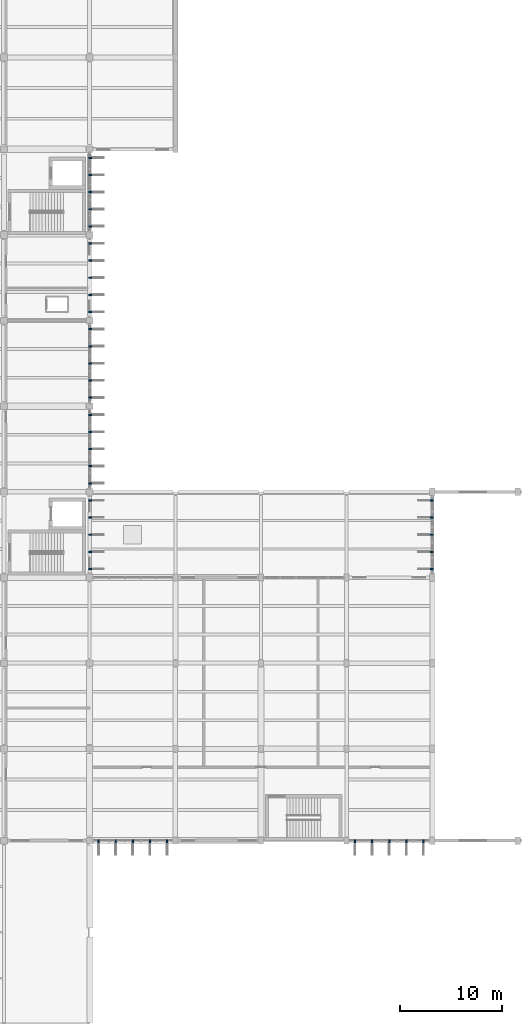
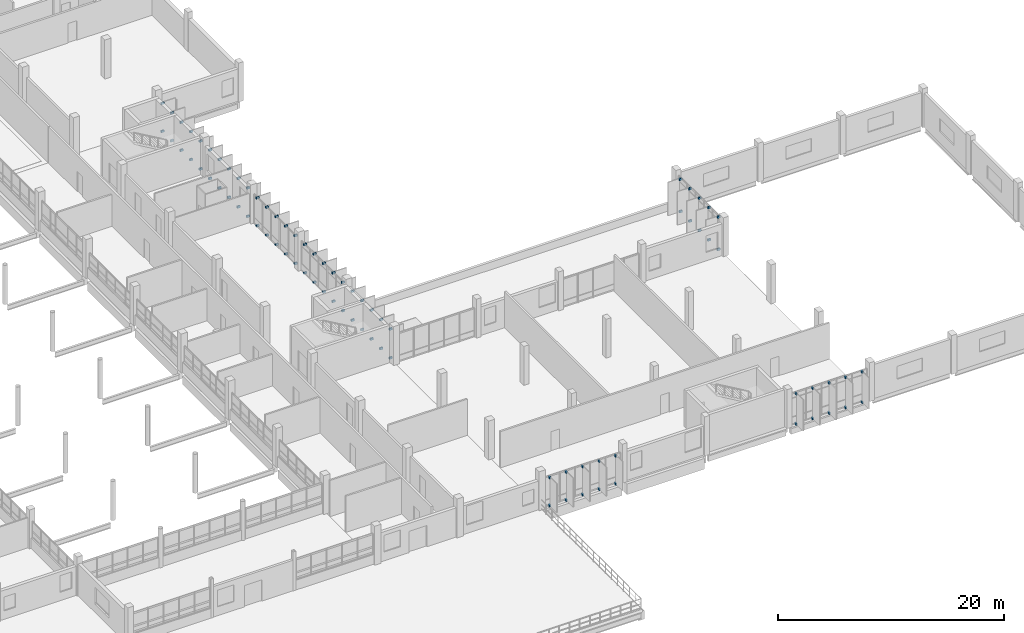
# One storey, part 94 of 101: 80 discrete accessories.
"""IFC4 building model written with IfcOpenShell, lengths in metres."""

from ifc_helpers import new_model, si_unit, direction, frame, origin, origin_2d, place, context, subcontext, project, spatial, rectangle, extrude, material, type_object, element, save


model = new_model("IFC4")

# Units and contexts
model_context = context("Model", 3, precision=1e-05, world=origin(), true_north=direction((0.0, 1.0)))
body_context = subcontext(model_context, "Body", "Model", "MODEL_VIEW")
ifc_project = project(units=[si_unit("LENGTHUNIT", "METRE"), si_unit("AREAUNIT", "SQUARE_METRE"), si_unit("VOLUMEUNIT", "CUBIC_METRE"), si_unit("PLANEANGLEUNIT", "RADIAN"), si_unit("MASSUNIT", "GRAM", prefix="KILO")], contexts=[model_context])

# Site, building, storey
site_placement = place(None, origin())
site = spatial("IfcSite", under=ifc_project, at=site_placement, CompositionType="ELEMENT")
building_placement = place(site_placement, origin())
building = spatial("IfcBuilding", under=site, at=building_placement, Name="Vireocrest Preparatory School", CompositionType="ELEMENT")
storey_placement = place(building_placement, frame((0.0, 0.0, 4.800048828125)))
storey = spatial("IfcBuildingStorey", under=building, at=storey_placement, Name="L01", CompositionType="ELEMENT", Elevation=4.800048828125)

# Discrete accessories
ifc_material = material(Name="Structural steel ASTM A572 Grade 50", Category="steel")
discrete_accessory_type = type_object("IfcDiscreteAccessoryType", Name="Slab-Edge Steel Outrigger Fin Bracket", PredefinedType="BRACKET", material=ifc_material)
for number, where, z_axis, x_axis, name in (
    (1, (110.077392578125, 17.929931640625, -0.08984375), (0.0, 0.0, 1.0), (-1.0, 0.0, 0.0), "Solar Fin Outrigger Bracket BK1 L01-4-1-BOT"),
    (2, (110.077392578125, 17.929931640625, 2.919921875), (0.0, 0.0, 1.0), (-1.0, 0.0, 0.0), "Solar Fin Outrigger Bracket BK1 L01-4-1-TOP"),
    (3, (111.757568359375, 17.929931640625, -0.08984375), (0.0, 0.0, 1.0), (-1.0, 0.0, 0.0), "Solar Fin Outrigger Bracket BK1 L01-4-2-BOT"),
    (4, (111.757568359375, 17.929931640625, 2.919921875), (0.0, 0.0, 1.0), (-1.0, 0.0, 0.0), "Solar Fin Outrigger Bracket BK1 L01-4-2-TOP"),
    (5, (113.4375, 17.929931640625, -0.08984375), (0.0, 0.0, 1.0), (-1.0, 0.0, 0.0), "Solar Fin Outrigger Bracket BK1 L01-4-3-BOT"),
    (6, (113.4375, 17.929931640625, 2.919921875), (0.0, 0.0, 1.0), (-1.0, 0.0, 0.0), "Solar Fin Outrigger Bracket BK1 L01-4-3-TOP"),
    (7, (115.117431640625, 17.929931640625, -0.08984375), (0.0, 0.0, 1.0), (-1.0, 0.0, 0.0), "Solar Fin Outrigger Bracket BK1 L01-4-4-BOT"),
    (8, (115.117431640625, 17.929931640625, 2.919921875), (0.0, 0.0, 1.0), (-1.0, 0.0, 0.0), "Solar Fin Outrigger Bracket BK1 L01-4-4-TOP"),
    (9, (116.797607421875, 17.929931640625, -0.08984375), (0.0, 0.0, 1.0), (-1.0, 0.0, 0.0), "Solar Fin Outrigger Bracket BK1 L01-4-5-BOT"),
    (10, (116.797607421875, 17.929931640625, 2.919921875), (0.0, 0.0, 1.0), (-1.0, 0.0, 0.0), "Solar Fin Outrigger Bracket BK1 L01-4-5-TOP"),
    (11, (135.2275390625, 17.929931640625, -0.08984375), (0.0, 0.0, 1.0), (-1.0, 0.0, 0.0), "Solar Fin Outrigger Bracket BK1 L01-5-1-BOT"),
    (12, (135.2275390625, 17.929931640625, 3.16015625), (0.0, 0.0, 1.0), (-1.0, 0.0, 0.0), "Solar Fin Outrigger Bracket BK1 L01-5-1-TOP"),
    (13, (136.907470703125, 17.929931640625, -0.08984375), (0.0, 0.0, 1.0), (-1.0, 0.0, 0.0), "Solar Fin Outrigger Bracket BK1 L01-5-2-BOT"),
    (14, (136.907470703125, 17.929931640625, 3.16015625), (0.0, 0.0, 1.0), (-1.0, 0.0, 0.0), "Solar Fin Outrigger Bracket BK1 L01-5-2-TOP"),
    (15, (138.58740234375, 17.929931640625, -0.08984375), (0.0, 0.0, 1.0), (-1.0, 0.0, 0.0), "Solar Fin Outrigger Bracket BK1 L01-5-3-BOT"),
    (16, (138.58740234375, 17.929931640625, 3.16015625), (0.0, 0.0, 1.0), (-1.0, 0.0, 0.0), "Solar Fin Outrigger Bracket BK1 L01-5-3-TOP"),
    (17, (140.267578125, 17.929931640625, -0.08984375), (0.0, 0.0, 1.0), (-1.0, 0.0, 0.0), "Solar Fin Outrigger Bracket BK1 L01-5-4-BOT"),
    (18, (140.267578125, 17.929931640625, 3.16015625), (0.0, 0.0, 1.0), (-1.0, 0.0, 0.0), "Solar Fin Outrigger Bracket BK1 L01-5-4-TOP"),
    (19, (141.947509765625, 17.929931640625, -0.08984375), (0.0, 0.0, 1.0), (-1.0, 0.0, 0.0), "Solar Fin Outrigger Bracket BK1 L01-5-5-BOT"),
    (20, (141.947509765625, 17.929931640625, 3.16015625), (0.0, 0.0, 1.0), (-1.0, 0.0, 0.0), "Solar Fin Outrigger Bracket BK1 L01-5-5-TOP"),
    (21, (142.72998046875, 44.639892578125, -0.08984375), (0.0, 0.0, 1.0), (0.0, 1.0, 0.0), "Solar Fin Outrigger Bracket BK1 L01-6-1-BOT"),
    (22, (142.72998046875, 44.639892578125, 3.39697265625), (0.0, 0.0, 1.0), (0.0, 1.0, 0.0), "Solar Fin Outrigger Bracket BK1 L01-6-1-TOP"),
    (23, (142.72998046875, 46.320068359375, -0.08984375), (0.0, 0.0, 1.0), (0.0, 1.0, 0.0), "Solar Fin Outrigger Bracket BK1 L01-6-2-BOT"),
    (24, (142.72998046875, 46.320068359375, 3.39697265625), (0.0, 0.0, 1.0), (0.0, 1.0, 0.0), "Solar Fin Outrigger Bracket BK1 L01-6-2-TOP"),
    (25, (142.72998046875, 48.0, -0.08984375), (0.0, 0.0, 1.0), (0.0, 1.0, 0.0), "Solar Fin Outrigger Bracket BK1 L01-6-3-BOT"),
    (26, (142.72998046875, 48.0, 3.39697265625), (0.0, 0.0, 1.0), (0.0, 1.0, 0.0), "Solar Fin Outrigger Bracket BK1 L01-6-3-TOP"),
    (27, (142.72998046875, 49.679931640625, -0.08984375), (0.0, 0.0, 1.0), (0.0, 1.0, 0.0), "Solar Fin Outrigger Bracket BK1 L01-6-4-BOT"),
    (28, (142.72998046875, 49.679931640625, 3.39697265625), (0.0, 0.0, 1.0), (0.0, 1.0, 0.0), "Solar Fin Outrigger Bracket BK1 L01-6-4-TOP"),
    (29, (142.72998046875, 51.360107421875, -0.08984375), (0.0, 0.0, 1.0), (0.0, 1.0, 0.0), "Solar Fin Outrigger Bracket BK1 L01-6-5-BOT"),
    (30, (142.72998046875, 51.360107421875, 3.39697265625), (0.0, 0.0, 1.0), (0.0, 1.0, 0.0), "Solar Fin Outrigger Bracket BK1 L01-6-5-TOP"),
    (31, (109.27001953125, 44.639892578125, -0.08984375), (0.0, 0.0, 1.0), (0.0, -1.0, 0.0), "Solar Fin Outrigger Bracket BK1 L01-7-1-BOT"),
    (32, (109.27001953125, 44.639892578125, 3.02978515625), (0.0, 0.0, 1.0), (0.0, -1.0, 0.0), "Solar Fin Outrigger Bracket BK1 L01-7-1-TOP"),
    (33, (109.27001953125, 46.320068359375, -0.08984375), (0.0, 0.0, 1.0), (0.0, -1.0, 0.0), "Solar Fin Outrigger Bracket BK1 L01-7-2-BOT"),
    (34, (109.27001953125, 46.320068359375, 3.02978515625), (0.0, 0.0, 1.0), (0.0, -1.0, 0.0), "Solar Fin Outrigger Bracket BK1 L01-7-2-TOP"),
    (35, (109.27001953125, 48.0, -0.08984375), (0.0, 0.0, 1.0), (0.0, -1.0, 0.0), "Solar Fin Outrigger Bracket BK1 L01-7-3-BOT"),
    (36, (109.27001953125, 48.0, 3.02978515625), (0.0, 0.0, 1.0), (0.0, -1.0, 0.0), "Solar Fin Outrigger Bracket BK1 L01-7-3-TOP"),
    (37, (109.27001953125, 49.679931640625, -0.08984375), (0.0, 0.0, 1.0), (0.0, -1.0, 0.0), "Solar Fin Outrigger Bracket BK1 L01-7-4-BOT"),
    (38, (109.27001953125, 49.679931640625, 3.02978515625), (0.0, 0.0, 1.0), (0.0, -1.0, 0.0), "Solar Fin Outrigger Bracket BK1 L01-7-4-TOP"),
    (39, (109.27001953125, 51.360107421875, -0.08984375), (0.0, 0.0, 1.0), (0.0, -1.0, 0.0), "Solar Fin Outrigger Bracket BK1 L01-7-5-BOT"),
    (40, (109.27001953125, 51.360107421875, 3.02978515625), (0.0, 0.0, 1.0), (0.0, -1.0, 0.0), "Solar Fin Outrigger Bracket BK1 L01-7-5-TOP"),
    (41, (109.27001953125, 53.0400390625, -0.08984375), (0.0, 0.0, 1.0), (0.0, -1.0, 0.0), "Solar Fin Outrigger Bracket BK1 L01-8-1-BOT"),
    (42, (109.27001953125, 53.0400390625, 2.97998046875), (0.0, 0.0, 1.0), (0.0, -1.0, 0.0), "Solar Fin Outrigger Bracket BK1 L01-8-1-TOP"),
    (43, (109.27001953125, 54.719970703125, -0.08984375), (0.0, 0.0, 1.0), (0.0, -1.0, 0.0), "Solar Fin Outrigger Bracket BK1 L01-8-2-BOT"),
    (44, (109.27001953125, 54.719970703125, 2.97998046875), (0.0, 0.0, 1.0), (0.0, -1.0, 0.0), "Solar Fin Outrigger Bracket BK1 L01-8-2-TOP"),
    (45, (109.27001953125, 56.39990234375, -0.08984375), (0.0, 0.0, 1.0), (0.0, -1.0, 0.0), "Solar Fin Outrigger Bracket BK1 L01-8-3-BOT"),
    (46, (109.27001953125, 56.39990234375, 2.97998046875), (0.0, 0.0, 1.0), (0.0, -1.0, 0.0), "Solar Fin Outrigger Bracket BK1 L01-8-3-TOP"),
    (47, (109.27001953125, 58.080078125, -0.08984375), (0.0, 0.0, 1.0), (0.0, -1.0, 0.0), "Solar Fin Outrigger Bracket BK1 L01-8-4-BOT"),
    (48, (109.27001953125, 58.080078125, 2.97998046875), (0.0, 0.0, 1.0), (0.0, -1.0, 0.0), "Solar Fin Outrigger Bracket BK1 L01-8-4-TOP"),
    (49, (109.27001953125, 59.760009765625, -0.08984375), (0.0, 0.0, 1.0), (0.0, -1.0, 0.0), "Solar Fin Outrigger Bracket BK1 L01-8-5-BOT"),
    (50, (109.27001953125, 59.760009765625, 2.97998046875), (0.0, 0.0, 1.0), (0.0, -1.0, 0.0), "Solar Fin Outrigger Bracket BK1 L01-8-5-TOP"),
    (51, (109.27001953125, 61.43994140625, -0.08984375), (0.0, 0.0, 1.0), (0.0, -1.0, 0.0), "Solar Fin Outrigger Bracket BK1 L01-9-1-BOT"),
    (52, (109.27001953125, 61.43994140625, 2.93017578125), (0.0, 0.0, 1.0), (0.0, -1.0, 0.0), "Solar Fin Outrigger Bracket BK1 L01-9-1-TOP"),
    (53, (109.27001953125, 63.1201171875, -0.08984375), (0.0, 0.0, 1.0), (0.0, -1.0, 0.0), "Solar Fin Outrigger Bracket BK1 L01-9-2-BOT"),
    (54, (109.27001953125, 63.1201171875, 2.93017578125), (0.0, 0.0, 1.0), (0.0, -1.0, 0.0), "Solar Fin Outrigger Bracket BK1 L01-9-2-TOP"),
    (55, (109.27001953125, 64.800048828125, -0.08984375), (0.0, 0.0, 1.0), (0.0, -1.0, 0.0), "Solar Fin Outrigger Bracket BK1 L01-9-3-BOT"),
    (56, (109.27001953125, 64.800048828125, 2.93017578125), (0.0, 0.0, 1.0), (0.0, -1.0, 0.0), "Solar Fin Outrigger Bracket BK1 L01-9-3-TOP"),
    (57, (109.27001953125, 66.47998046875, -0.08984375), (0.0, 0.0, 1.0), (0.0, -1.0, 0.0), "Solar Fin Outrigger Bracket BK1 L01-9-4-BOT"),
    (58, (109.27001953125, 66.47998046875, 2.93017578125), (0.0, 0.0, 1.0), (0.0, -1.0, 0.0), "Solar Fin Outrigger Bracket BK1 L01-9-4-TOP"),
    (59, (109.27001953125, 68.159912109375, -0.08984375), (0.0, 0.0, 1.0), (0.0, -1.0, 0.0), "Solar Fin Outrigger Bracket BK1 L01-9-5-BOT"),
    (60, (109.27001953125, 68.159912109375, 2.93017578125), (0.0, 0.0, 1.0), (0.0, -1.0, 0.0), "Solar Fin Outrigger Bracket BK1 L01-9-5-TOP"),
    (61, (109.27001953125, 69.840087890625, -0.08984375), (0.0, 0.0, 1.0), (0.0, -1.0, 0.0), "Solar Fin Outrigger Bracket BK1 L01-10-1-BOT"),
    (62, (109.27001953125, 69.840087890625, 2.97998046875), (0.0, 0.0, 1.0), (0.0, -1.0, 0.0), "Solar Fin Outrigger Bracket BK1 L01-10-1-TOP"),
    (63, (109.27001953125, 71.52001953125, -0.08984375), (0.0, 0.0, 1.0), (0.0, -1.0, 0.0), "Solar Fin Outrigger Bracket BK1 L01-10-2-BOT"),
    (64, (109.27001953125, 71.52001953125, 2.97998046875), (0.0, 0.0, 1.0), (0.0, -1.0, 0.0), "Solar Fin Outrigger Bracket BK1 L01-10-2-TOP"),
    (65, (109.27001953125, 73.199951171875, -0.08984375), (0.0, 0.0, 1.0), (0.0, -1.0, 0.0), "Solar Fin Outrigger Bracket BK1 L01-10-3-BOT"),
    (66, (109.27001953125, 73.199951171875, 2.97998046875), (0.0, 0.0, 1.0), (0.0, -1.0, 0.0), "Solar Fin Outrigger Bracket BK1 L01-10-3-TOP"),
    (67, (109.27001953125, 74.8798828125, -0.08984375), (0.0, 0.0, 1.0), (0.0, -1.0, 0.0), "Solar Fin Outrigger Bracket BK1 L01-10-4-BOT"),
    (68, (109.27001953125, 74.8798828125, 2.97998046875), (0.0, 0.0, 1.0), (0.0, -1.0, 0.0), "Solar Fin Outrigger Bracket BK1 L01-10-4-TOP"),
    (69, (109.27001953125, 76.56005859375, -0.08984375), (0.0, 0.0, 1.0), (0.0, -1.0, 0.0), "Solar Fin Outrigger Bracket BK1 L01-10-5-BOT"),
    (70, (109.27001953125, 76.56005859375, 2.97998046875), (0.0, 0.0, 1.0), (0.0, -1.0, 0.0), "Solar Fin Outrigger Bracket BK1 L01-10-5-TOP"),
    (71, (109.27001953125, 78.239990234375, -0.08984375), (0.0, 0.0, 1.0), (0.0, -1.0, 0.0), "Solar Fin Outrigger Bracket BK1 L01-11-1-BOT"),
    (72, (109.27001953125, 78.239990234375, 2.93017578125), (0.0, 0.0, 1.0), (0.0, -1.0, 0.0), "Solar Fin Outrigger Bracket BK1 L01-11-1-TOP"),
    (73, (109.27001953125, 79.919921875, -0.08984375), (0.0, 0.0, 1.0), (0.0, -1.0, 0.0), "Solar Fin Outrigger Bracket BK1 L01-11-2-BOT"),
    (74, (109.27001953125, 79.919921875, 2.93017578125), (0.0, 0.0, 1.0), (0.0, -1.0, 0.0), "Solar Fin Outrigger Bracket BK1 L01-11-2-TOP"),
    (75, (109.27001953125, 81.60009765625, -0.08984375), (0.0, 0.0, 1.0), (0.0, -1.0, 0.0), "Solar Fin Outrigger Bracket BK1 L01-11-3-BOT"),
    (76, (109.27001953125, 81.60009765625, 2.93017578125), (0.0, 0.0, 1.0), (0.0, -1.0, 0.0), "Solar Fin Outrigger Bracket BK1 L01-11-3-TOP"),
    (77, (109.27001953125, 83.280029296875, -0.08984375), (0.0, 0.0, 1.0), (0.0, -1.0, 0.0), "Solar Fin Outrigger Bracket BK1 L01-11-4-BOT"),
    (78, (109.27001953125, 83.280029296875, 2.93017578125), (0.0, 0.0, 1.0), (0.0, -1.0, 0.0), "Solar Fin Outrigger Bracket BK1 L01-11-4-TOP"),
    (79, (109.27001953125, 84.9599609375, -0.08984375), (0.0, 0.0, 1.0), (0.0, -1.0, 0.0), "Solar Fin Outrigger Bracket BK1 L01-11-5-BOT"),
    (80, (109.27001953125, 84.9599609375, 2.93017578125), (0.0, 0.0, 1.0), (0.0, -1.0, 0.0), "Solar Fin Outrigger Bracket BK1 L01-11-5-TOP"),
):
    element("IfcDiscreteAccessory", number, at=place(storey_placement, frame(where, z_axis=z_axis, x_axis=x_axis)), inside=storey, type_object=discrete_accessory_type, Name=name, PredefinedType="BRACKET", context=body_context, shape_type="SweptSolid", body=[
        extrude(rectangle(XDim=0.139892578125, YDim=0.300048828125, at=origin_2d()), origin(), (0.0, 0.0, 1.0), 0.219970703125),
    ])

save(model, "model.ifc")
